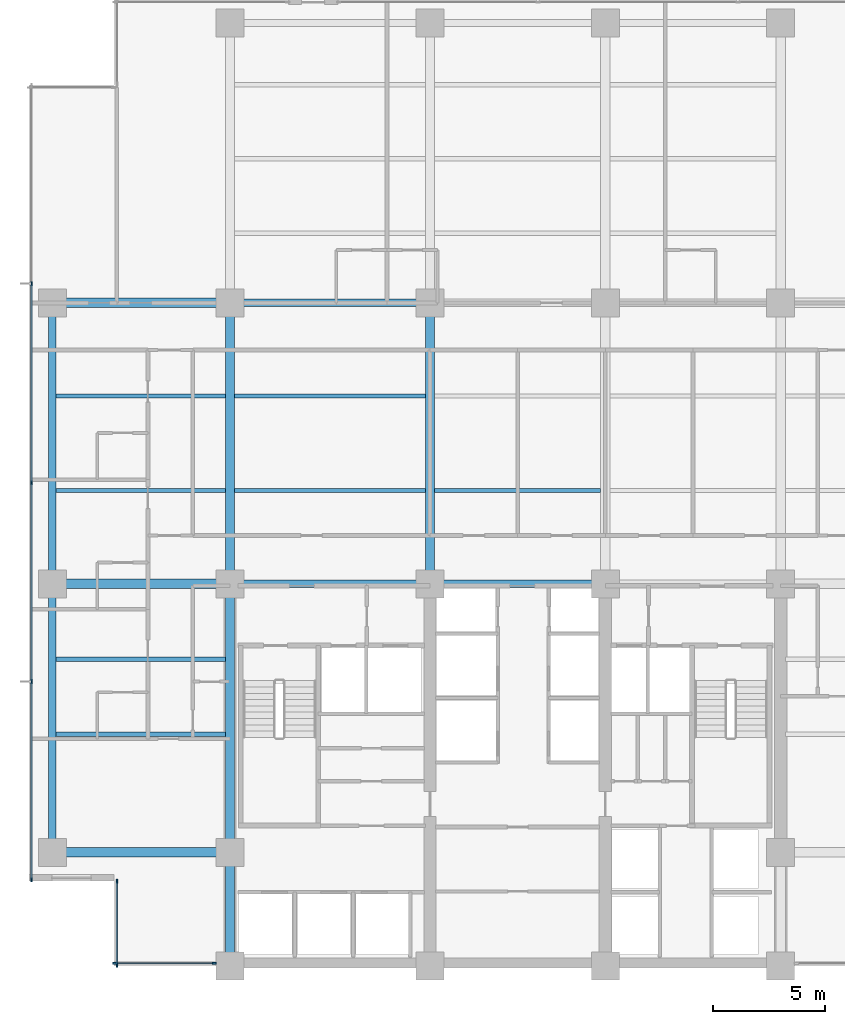
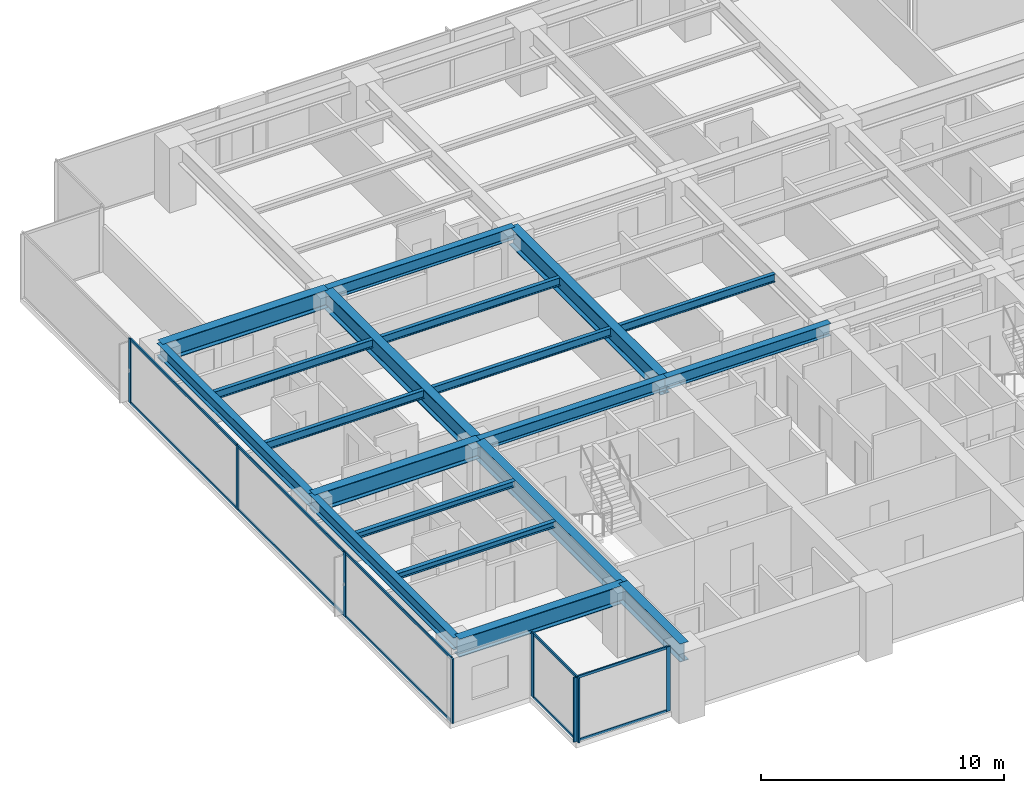
# One storey, part 2 of 17: 19 beams, 18 members, 3 elements without a shape of their own.
"""IFC4 building model written with IfcOpenShell, lengths in metres."""

from ifc_helpers import new_model, si_unit, direction, frame, origin, origin_2d, place, context, subcontext, project, spatial, rectangle, i_section, extrude, material, layer, layer_set, material_profile, profile_set, type_object, element, aggregate, save


model = new_model("IFC4")

# Units and contexts
model_context = context("Model", 3, precision=1e-05, world=origin(), true_north=direction((0.0, 1.0)))
body_context = subcontext(model_context, "Body", "Model", "MODEL_VIEW")
ifc_project = project(units=[si_unit("LENGTHUNIT", "METRE"), si_unit("AREAUNIT", "SQUARE_METRE"), si_unit("VOLUMEUNIT", "CUBIC_METRE"), si_unit("PLANEANGLEUNIT", "RADIAN"), si_unit("MASSUNIT", "GRAM", prefix="KILO")], contexts=[model_context])

# Site, building, storey
site_placement = place(None, origin())
site = spatial("IfcSite", under=ifc_project, at=site_placement, CompositionType="ELEMENT")
building_placement = place(site_placement, origin())
building = spatial("IfcBuilding", under=site, at=building_placement, Name="Qalmaran Belvedere Hotel", CompositionType="ELEMENT")
storey_placement = place(building_placement, frame((0.0, 0.0, 119.699951171875)))
storey = spatial("IfcBuildingStorey", under=building, at=storey_placement, Name="L30", CompositionType="ELEMENT", Elevation=119.699951171875)

# Beams
ifc_material_1 = material(Name="Steel S355JR", Category="steel")
ifc_material_profile_1 = material_profile(ifc_material_1, i_section(OverallWidth=0.202880859375, OverallDepth=0.302978515625, WebThickness=0.007568359375, FlangeThickness=0.01318359375, FilletRadius=0.012939453125, at=origin_2d()), Name="W310X60")
ifc_profile_set_1 = profile_set([ifc_material_profile_1], Name="Steel S355JR")
beam_type_1 = type_object("IfcBeamType", Name="BM-JST-W310X60", PredefinedType="JOIST", material=ifc_profile_set_1)
for number, where, z_axis, x_axis, name in (
    (1, (12.5615234375, 13.800048828125, 3.088623046875), (1.0, 0.0, 0.0), (0.0, 1.0, 0.0), "L30 West Wing Joist 038"),
    (2, (12.5615234375, 17.14990234375, 3.088623046875), (1.0, 0.0, 0.0), (0.0, 1.0, 0.0), "L30 West Wing Joist 040"),
):
    element("IfcBeam", number, at=place(storey_placement, frame(where, z_axis=z_axis, x_axis=x_axis)), inside=storey, type_object=beam_type_1, Name=name, PredefinedType="JOIST", context=body_context, shape_type="SweptSolid", body=[
        extrude(i_section(OverallWidth=0.202880859375, OverallDepth=0.302978515625, WebThickness=0.007568359375, FlangeThickness=0.01318359375, FilletRadius=0.012939453125, at=origin_2d()), origin(), (0.0, 0.0, 1.0), 7.531494140625),
    ])
ifc_material_profile_2 = material_profile(ifc_material_1, i_section(OverallWidth=0.41796875, OverallDepth=0.912109375, WebThickness=0.019287109375, FlangeThickness=0.031982421875, FilletRadius=0.02392578125, at=origin_2d()), Name="W920X342")
ifc_profile_set_2 = profile_set([ifc_material_profile_2], Name="Steel S355JR")
beam_type_2 = type_object("IfcBeamType", Name="BM-PG2-W920X342", PredefinedType="USERDEFINED", material=ifc_profile_set_2)
for number, where, z_axis, x_axis, name in (
    (3, (20.300048828125, 20.5, 2.783935546875), (0.0, 1.0, 0.0), (-1.0, 0.0, 0.0), "L30 Mid-Plate N-S Girder 14"),
    (4, (29.199951171875, 20.5, 2.783935546875), (0.0, 1.0, 0.0), (-1.0, 0.0, 0.0), "L30 Mid-Plate N-S Girder 16"),
):
    element("IfcBeam", number, at=place(storey_placement, frame(where, z_axis=z_axis, x_axis=x_axis)), inside=storey, type_object=beam_type_2, Name=name, ObjectType="GIRDER", PredefinedType="USERDEFINED", context=body_context, shape_type="SweptSolid", body=[
        extrude(i_section(OverallWidth=0.41796875, OverallDepth=0.912109375, WebThickness=0.019287109375, FlangeThickness=0.031982421875, FilletRadius=0.02392578125, at=origin_2d()), origin(), (0.0, 0.0, 1.0), 12.5),
    ])
for number, where, z_axis, x_axis, name in (
    (5, (12.39990234375, 8.550048828125, 2.783935546875), (1.0, 0.0, 0.0), (0.0, 1.0, 0.0), "L30 West Wing Girder 22"),
    (6, (12.39990234375, 20.5, 2.783935546875), (1.0, 0.0, 0.0), (0.0, 1.0, 0.0), "L30 West Wing Girder 23"),
    (7, (12.39990234375, 33.0, 2.783935546875), (1.0, 0.0, 0.0), (0.0, 1.0, 0.0), "L30 West Wing Girder 24"),
):
    element("IfcBeam", number, at=place(storey_placement, frame(where, z_axis=z_axis, x_axis=x_axis)), inside=storey, type_object=beam_type_2, Name=name, ObjectType="GIRDER", PredefinedType="USERDEFINED", context=body_context, shape_type="SweptSolid", body=[
        extrude(i_section(OverallWidth=0.41796875, OverallDepth=0.912109375, WebThickness=0.019287109375, FlangeThickness=0.031982421875, FilletRadius=0.02392578125, at=origin_2d()), origin(), (0.0, 0.0, 1.0), 7.900146484375),
    ])
beam_1_placement = place(storey_placement, frame((20.300048828125, 3.5, 2.783935546875), z_axis=(0.0, 1.0, 0.0), x_axis=(-1.0, 0.0, 0.0)))
element("IfcBeam", 8, at=beam_1_placement, inside=storey, type_object=beam_type_2, Name="L30 West Core Edge Girder A", ObjectType="GIRDER", PredefinedType="USERDEFINED", context=body_context, shape_type="SweptSolid", body=[
    extrude(i_section(OverallWidth=0.41796875, OverallDepth=0.912109375, WebThickness=0.019287109375, FlangeThickness=0.031982421875, FilletRadius=0.02392578125, at=origin_2d()), origin(), (0.0, 0.0, 1.0), 5.050048828125),
])
beam_2_placement = place(storey_placement, frame((20.300048828125, 8.550048828125, 2.783935546875), z_axis=(0.0, 1.0, 0.0), x_axis=(-1.0, 0.0, 0.0)))
element("IfcBeam", 9, at=beam_2_placement, inside=storey, type_object=beam_type_2, Name="L30 West Core Edge Girder B", ObjectType="GIRDER", PredefinedType="USERDEFINED", context=body_context, shape_type="SweptSolid", body=[
    extrude(i_section(OverallWidth=0.41796875, OverallDepth=0.912109375, WebThickness=0.019287109375, FlangeThickness=0.031982421875, FilletRadius=0.02392578125, at=origin_2d()), origin(), (0.0, 0.0, 1.0), 11.949951171875),
])
ifc_material_profile_3 = material_profile(ifc_material_1, i_section(OverallWidth=0.177978515625, OverallDepth=0.406982421875, WebThickness=0.0078125, FlangeThickness=0.0126953125, FilletRadius=0.014892578125, at=origin_2d()), Name="W410X60")
ifc_profile_set_3 = profile_set([ifc_material_profile_3], Name="Steel S355JR")
beam_type_3 = type_object("IfcBeamType", Name="BM-SB2-W410X60", PredefinedType="BEAM", material=ifc_profile_set_3)
beam_3_placement = place(storey_placement, frame((12.5615234375, 24.64990234375, 3.03662109375), z_axis=(1.0, 0.0, 0.0), x_axis=(0.0, 1.0, 0.0)))
element("IfcBeam", 10, at=beam_3_placement, inside=storey, type_object=beam_type_3, Name="L30 West Secondary Beam 028", PredefinedType="BEAM", context=body_context, shape_type="SweptSolid", body=[
    extrude(i_section(OverallWidth=0.177978515625, OverallDepth=0.406982421875, WebThickness=0.0078125, FlangeThickness=0.0126953125, FilletRadius=0.014892578125, at=origin_2d()), origin(), (0.0, 0.0, 1.0), 7.531494140625),
])
beam_4_placement = place(storey_placement, frame((20.507080078125, 24.64990234375, 3.03662109375), z_axis=(1.0, 0.0, 0.0), x_axis=(0.0, 1.0, 0.0)))
element("IfcBeam", 11, at=beam_4_placement, inside=storey, type_object=beam_type_3, Name="L30 Secondary Floor Beam 029", PredefinedType="BEAM", context=body_context, shape_type="SweptSolid", body=[
    extrude(i_section(OverallWidth=0.177978515625, OverallDepth=0.406982421875, WebThickness=0.0078125, FlangeThickness=0.0126953125, FilletRadius=0.014892578125, at=origin_2d()), origin(), (0.0, 0.0, 1.0), 8.48583984375),
])
beam_5_placement = place(storey_placement, frame((29.406982421875, 24.64990234375, 3.03662109375), z_axis=(1.0, 0.0, 0.0), x_axis=(0.0, 1.0, 0.0)))
element("IfcBeam", 12, at=beam_5_placement, inside=storey, type_object=beam_type_3, Name="L30 Secondary Floor Beam 030", PredefinedType="BEAM", context=body_context, shape_type="SweptSolid", body=[
    extrude(i_section(OverallWidth=0.177978515625, OverallDepth=0.406982421875, WebThickness=0.0078125, FlangeThickness=0.0126953125, FilletRadius=0.014892578125, at=origin_2d()), origin(), (0.0, 0.0, 1.0), 7.385986328125),
])
beam_6_placement = place(storey_placement, frame((12.5615234375, 28.85009765625, 3.03662109375), z_axis=(1.0, 0.0, 0.0), x_axis=(0.0, 1.0, 0.0)))
element("IfcBeam", 13, at=beam_6_placement, inside=storey, type_object=beam_type_3, Name="L30 West Secondary Beam 033", PredefinedType="BEAM", context=body_context, shape_type="SweptSolid", body=[
    extrude(i_section(OverallWidth=0.177978515625, OverallDepth=0.406982421875, WebThickness=0.0078125, FlangeThickness=0.0126953125, FilletRadius=0.014892578125, at=origin_2d()), origin(), (0.0, 0.0, 1.0), 7.531494140625),
])
beam_7_placement = place(storey_placement, frame((20.507080078125, 28.85009765625, 3.03662109375), z_axis=(1.0, 0.0, 0.0), x_axis=(0.0, 1.0, 0.0)))
element("IfcBeam", 14, at=beam_7_placement, inside=storey, type_object=beam_type_3, Name="L30 Secondary Floor Beam 034", PredefinedType="BEAM", context=body_context, shape_type="SweptSolid", body=[
    extrude(i_section(OverallWidth=0.177978515625, OverallDepth=0.406982421875, WebThickness=0.0078125, FlangeThickness=0.0126953125, FilletRadius=0.014892578125, at=origin_2d()), origin(), (0.0, 0.0, 1.0), 8.48583984375),
])
ifc_material_profile_4 = material_profile(ifc_material_1, i_section(OverallWidth=0.326904296875, OverallDepth=0.6220703125, WebThickness=0.015380859375, FlangeThickness=0.0244140625, FilletRadius=0.02001953125, at=origin_2d()), Name="W610X195")
ifc_profile_set_4 = profile_set([ifc_material_profile_4], Name="Steel S355JR")
beam_type_4 = type_object("IfcBeamType", Name="BM-SP1-W610X195", PredefinedType="SPANDREL", material=ifc_profile_set_4)
beam_8_placement = place(storey_placement, frame((12.39990234375, 8.550048828125, 2.928955078125), z_axis=(0.0, 1.0, 0.0), x_axis=(-1.0, 0.0, 0.0)))
element("IfcBeam", 15, at=beam_8_placement, inside=storey, type_object=beam_type_4, Name="L30 Perimeter Spandrel 01", PredefinedType="SPANDREL", context=body_context, shape_type="SweptSolid", body=[
    extrude(i_section(OverallWidth=0.326904296875, OverallDepth=0.6220703125, WebThickness=0.015380859375, FlangeThickness=0.0244140625, FilletRadius=0.02001953125, at=origin_2d()), origin(), (0.0, 0.0, 1.0), 11.949951171875),
])
beam_9_placement = place(storey_placement, frame((12.39990234375, 20.5, 2.928955078125), z_axis=(0.0, 1.0, 0.0), x_axis=(-1.0, 0.0, 0.0)))
element("IfcBeam", 16, at=beam_9_placement, inside=storey, type_object=beam_type_4, Name="L30 Perimeter Spandrel 02", PredefinedType="SPANDREL", context=body_context, shape_type="SweptSolid", body=[
    extrude(i_section(OverallWidth=0.326904296875, OverallDepth=0.6220703125, WebThickness=0.015380859375, FlangeThickness=0.0244140625, FilletRadius=0.02001953125, at=origin_2d()), origin(), (0.0, 0.0, 1.0), 12.5),
])
ifc_material_profile_5 = material_profile(ifc_material_1, i_section(OverallWidth=0.323974609375, OverallDepth=0.611083984375, WebThickness=0.0126953125, FlangeThickness=0.01904296875, FilletRadius=0.02001953125, at=origin_2d()), Name="W610X155")
ifc_profile_set_5 = profile_set([ifc_material_profile_5], Name="Steel S355JR")
beam_type_5 = type_object("IfcBeamType", Name="BM-Z2-W610X155", PredefinedType="USERDEFINED", material=ifc_profile_set_5)
beam_10_placement = place(storey_placement, frame((20.300048828125, 20.5, 2.9345703125), z_axis=(1.0, 0.0, 0.0), x_axis=(0.0, 1.0, 0.0)))
element("IfcBeam", 17, at=beam_10_placement, inside=storey, type_object=beam_type_5, Name="L30 Interior E-W Girder 08", ObjectType="GIRDER", PredefinedType="USERDEFINED", context=body_context, shape_type="SweptSolid", body=[
    extrude(i_section(OverallWidth=0.323974609375, OverallDepth=0.611083984375, WebThickness=0.0126953125, FlangeThickness=0.01904296875, FilletRadius=0.02001953125, at=origin_2d()), origin(), (0.0, 0.0, 1.0), 8.89990234375),
])
beam_11_placement = place(storey_placement, frame((29.199951171875, 20.5, 2.9345703125), z_axis=(1.0, 0.0, 0.0), x_axis=(0.0, 1.0, 0.0)))
element("IfcBeam", 18, at=beam_11_placement, inside=storey, type_object=beam_type_5, Name="L30 Interior E-W Girder 09", ObjectType="GIRDER", PredefinedType="USERDEFINED", context=body_context, shape_type="SweptSolid", body=[
    extrude(i_section(OverallWidth=0.323974609375, OverallDepth=0.611083984375, WebThickness=0.0126953125, FlangeThickness=0.01904296875, FilletRadius=0.02001953125, at=origin_2d()), origin(), (0.0, 0.0, 1.0), 7.800048828125),
])
beam_12_placement = place(storey_placement, frame((20.300048828125, 33.0, 2.9345703125), z_axis=(1.0, 0.0, 0.0), x_axis=(0.0, 1.0, 0.0)))
element("IfcBeam", 19, at=beam_12_placement, inside=storey, type_object=beam_type_5, Name="L30 Interior E-W Girder 11", ObjectType="GIRDER", PredefinedType="USERDEFINED", context=body_context, shape_type="SweptSolid", body=[
    extrude(i_section(OverallWidth=0.323974609375, OverallDepth=0.611083984375, WebThickness=0.0126953125, FlangeThickness=0.01904296875, FilletRadius=0.02001953125, at=origin_2d()), origin(), (0.0, 0.0, 1.0), 8.89990234375),
])

# Curtain wall, members
ifc_material_2 = material(Name="Anodised Bronze Aluminium", Category="aluminium")
ifc_layer = layer(ifc_material_2, 0.199951171875, Name="Anodised Bronze Aluminium")
ifc_layer_set = layer_set([ifc_layer], Name="Anodised Bronze Aluminium")
curtain_wall_type = type_object("IfcCurtainWallType", Name="CW3-TOWER-LOWMID", PredefinedType="NOTDEFINED", material=ifc_layer_set)
curtain_wall_1_placement = place(storey_placement, origin())
curtain_wall_1 = element("IfcCurtainWall", 20, at=curtain_wall_1_placement, inside=storey, type_object=curtain_wall_type, Name="L30 Curtain Wall CW3", PredefinedType="NOTDEFINED")
ifc_material_profile_6 = material_profile(ifc_material_2, rectangle(XDim=0.070068359375, YDim=0.18994140625, at=origin_2d()), Name="CWM70X190")
ifc_profile_set_6 = profile_set([ifc_material_profile_6], Name="Anodised Bronze Aluminium")
member_type_1 = type_object("IfcMemberType", Name="CWM-70X190", PredefinedType="MULLION", material=ifc_profile_set_6)
member_1_placement = place(storey_placement, frame((15.18505859375, 3.6201171875, 0.0), z_axis=(0.0, 0.0, 1.0), x_axis=(0.0, 1.0, 0.0)))
member_1 = element("IfcMember", 21, at=member_1_placement, type_object=member_type_1, Name="CW3 mullion 1", PredefinedType="MULLION", context=body_context, shape_type="SweptSolid", body=[
    extrude(rectangle(XDim=0.070068359375, YDim=0.18994140625, at=origin_2d()), origin(), (0.0, 0.0, 1.0), 3.239990234375),
])
member_2_placement = place(storey_placement, frame((19.60009765625, 3.6201171875, 0.0), z_axis=(0.0, 0.0, 1.0), x_axis=(0.0, 1.0, 0.0)))
member_2 = element("IfcMember", 22, at=member_2_placement, type_object=member_type_1, Name="CW3 mullion 2", PredefinedType="MULLION", context=body_context, shape_type="SweptSolid", body=[
    extrude(rectangle(XDim=0.070068359375, YDim=0.18994140625, at=origin_2d()), origin(), (0.0, 0.0, 1.0), 3.239990234375),
])

curtain_wall_2_placement = place(storey_placement, origin())
curtain_wall_2 = element("IfcCurtainWall", 23, at=curtain_wall_2_placement, inside=storey, type_object=curtain_wall_type, Name="L30 Curtain Wall CW3", PredefinedType="NOTDEFINED")
member_3_placement = place(storey_placement, frame((11.469970703125, 33.85009765625, 0.0), z_axis=(0.0, 0.0, 1.0), x_axis=(1.0, 0.0, 0.0)))
member_3 = element("IfcMember", 24, at=member_3_placement, type_object=member_type_1, Name="CW3 mullion 2", PredefinedType="MULLION", context=body_context, shape_type="SweptSolid", body=[
    extrude(rectangle(XDim=0.070068359375, YDim=0.18994140625, at=origin_2d()), origin(), (0.0, 0.0, 1.0), 3.239990234375),
])
member_4_placement = place(storey_placement, frame((11.469970703125, 25.0, 0.0), z_axis=(0.0, 0.0, 1.0), x_axis=(1.0, 0.0, 0.0)))
member_4 = element("IfcMember", 25, at=member_4_placement, type_object=member_type_1, Name="CW3 mullion 3", PredefinedType="MULLION", context=body_context, shape_type="SweptSolid", body=[
    extrude(rectangle(XDim=0.070068359375, YDim=0.18994140625, at=origin_2d()), origin(), (0.0, 0.0, 1.0), 3.239990234375),
])
member_5_placement = place(storey_placement, frame((11.469970703125, 16.14990234375, 0.0), z_axis=(0.0, 0.0, 1.0), x_axis=(1.0, 0.0, 0.0)))
member_5 = element("IfcMember", 26, at=member_5_placement, type_object=member_type_1, Name="CW3 mullion 4", PredefinedType="MULLION", context=body_context, shape_type="SweptSolid", body=[
    extrude(rectangle(XDim=0.070068359375, YDim=0.18994140625, at=origin_2d()), origin(), (0.0, 0.0, 1.0), 3.239990234375),
])
member_6_placement = place(storey_placement, frame((11.469970703125, 7.3349609375, 0.0), z_axis=(0.0, 0.0, 1.0), x_axis=(1.0, 0.0, 0.0)))
member_6 = element("IfcMember", 27, at=member_6_placement, type_object=member_type_1, Name="CW3 mullion 5", PredefinedType="MULLION", context=body_context, shape_type="SweptSolid", body=[
    extrude(rectangle(XDim=0.070068359375, YDim=0.18994140625, at=origin_2d()), origin(), (0.0, 0.0, 1.0), 3.239990234375),
])

curtain_wall_3_placement = place(storey_placement, origin())
curtain_wall_3 = element("IfcCurtainWall", 28, at=curtain_wall_3_placement, inside=storey, type_object=curtain_wall_type, Name="L30 Curtain Wall CW3", PredefinedType="NOTDEFINED")
member_7_placement = place(storey_placement, frame((15.27001953125, 7.264892578125, 0.0), z_axis=(0.0, 0.0, 1.0), x_axis=(1.0, 0.0, 0.0)))
member_7 = element("IfcMember", 29, at=member_7_placement, type_object=member_type_1, Name="CW3 mullion 1", PredefinedType="MULLION", context=body_context, shape_type="SweptSolid", body=[
    extrude(rectangle(XDim=0.070068359375, YDim=0.18994140625, at=origin_2d()), origin(), (0.0, 0.0, 1.0), 3.239990234375),
])
member_8_placement = place(storey_placement, frame((15.27001953125, 3.534912109375, 0.0), z_axis=(0.0, 0.0, 1.0), x_axis=(1.0, 0.0, 0.0)))
member_8 = element("IfcMember", 30, at=member_8_placement, type_object=member_type_1, Name="CW3 mullion 2", PredefinedType="MULLION", context=body_context, shape_type="SweptSolid", body=[
    extrude(rectangle(XDim=0.070068359375, YDim=0.18994140625, at=origin_2d()), origin(), (0.0, 0.0, 1.0), 3.239990234375),
])

# Member
ifc_material_profile_7 = material_profile(ifc_material_2, rectangle(XDim=0.06494140625, YDim=0.1298828125, at=origin_2d()), Name="CWT65X130")
ifc_profile_set_7 = profile_set([ifc_material_profile_7], Name="Anodised Bronze Aluminium")
member_type_2 = type_object("IfcMemberType", Name="CWT-65X130", PredefinedType="USERDEFINED", material=ifc_profile_set_7)
member_9_placement = place(storey_placement, frame((15.219970703125, 3.6201171875, 0.032470703125), z_axis=(1.0, 0.0, 0.0), x_axis=(0.0, 1.0, 0.0)))
member_9 = element("IfcMember", 31, at=member_9_placement, type_object=member_type_2, Name="CW3 transom 1.1", ObjectType="TRANSOM", PredefinedType="USERDEFINED", context=body_context, shape_type="SweptSolid", body=[
    extrude(rectangle(XDim=0.06494140625, YDim=0.1298828125, at=origin_2d()), origin(), (0.0, 0.0, 1.0), 4.344970703125),
])

member_10_placement = place(storey_placement, frame((15.219970703125, 3.6201171875, 3.20751953125), z_axis=(1.0, 0.0, 0.0), x_axis=(0.0, 1.0, 0.0)))
member_10 = element("IfcMember", 32, at=member_10_placement, type_object=member_type_2, Name="CW3 transom 1.2", ObjectType="TRANSOM", PredefinedType="USERDEFINED", context=body_context, shape_type="SweptSolid", body=[
    extrude(rectangle(XDim=0.06494140625, YDim=0.1298828125, at=origin_2d()), origin(), (0.0, 0.0, 1.0), 4.344970703125),
])

aggregate(curtain_wall_1, [member_1, member_2, member_9, member_10])

member_11_placement = place(storey_placement, frame((11.469970703125, 33.81494140625, 0.032470703125), z_axis=(0.0, -1.0, 0.0), x_axis=(1.0, 0.0, 0.0)))
member_11 = element("IfcMember", 33, at=member_11_placement, type_object=member_type_2, Name="CW3 transom 2.1", ObjectType="TRANSOM", PredefinedType="USERDEFINED", context=body_context, shape_type="SweptSolid", body=[
    extrude(rectangle(XDim=0.06494140625, YDim=0.1298828125, at=origin_2d()), origin(), (0.0, 0.0, 1.0), 8.780029296875),
])

member_12_placement = place(storey_placement, frame((11.469970703125, 33.81494140625, 3.20751953125), z_axis=(0.0, -1.0, 0.0), x_axis=(1.0, 0.0, 0.0)))
member_12 = element("IfcMember", 34, at=member_12_placement, type_object=member_type_2, Name="CW3 transom 2.2", ObjectType="TRANSOM", PredefinedType="USERDEFINED", context=body_context, shape_type="SweptSolid", body=[
    extrude(rectangle(XDim=0.06494140625, YDim=0.1298828125, at=origin_2d()), origin(), (0.0, 0.0, 1.0), 8.780029296875),
])

member_13_placement = place(storey_placement, frame((11.469970703125, 24.965087890625, 0.032470703125), z_axis=(0.0, -1.0, 0.0), x_axis=(1.0, 0.0, 0.0)))
member_13 = element("IfcMember", 35, at=member_13_placement, type_object=member_type_2, Name="CW3 transom 3.1", ObjectType="TRANSOM", PredefinedType="USERDEFINED", context=body_context, shape_type="SweptSolid", body=[
    extrude(rectangle(XDim=0.06494140625, YDim=0.1298828125, at=origin_2d()), origin(), (0.0, 0.0, 1.0), 8.780029296875),
])

member_14_placement = place(storey_placement, frame((11.469970703125, 24.965087890625, 3.20751953125), z_axis=(0.0, -1.0, 0.0), x_axis=(1.0, 0.0, 0.0)))
member_14 = element("IfcMember", 36, at=member_14_placement, type_object=member_type_2, Name="CW3 transom 3.2", ObjectType="TRANSOM", PredefinedType="USERDEFINED", context=body_context, shape_type="SweptSolid", body=[
    extrude(rectangle(XDim=0.06494140625, YDim=0.1298828125, at=origin_2d()), origin(), (0.0, 0.0, 1.0), 8.780029296875),
])

member_15_placement = place(storey_placement, frame((11.469970703125, 16.114990234375, 0.032470703125), z_axis=(0.0, -1.0, 0.0), x_axis=(1.0, 0.0, 0.0)))
member_15 = element("IfcMember", 37, at=member_15_placement, type_object=member_type_2, Name="CW3 transom 4.1", ObjectType="TRANSOM", PredefinedType="USERDEFINED", context=body_context, shape_type="SweptSolid", body=[
    extrude(rectangle(XDim=0.06494140625, YDim=0.1298828125, at=origin_2d()), origin(), (0.0, 0.0, 1.0), 8.744873046875),
])

member_16_placement = place(storey_placement, frame((11.469970703125, 16.114990234375, 3.20751953125), z_axis=(0.0, -1.0, 0.0), x_axis=(1.0, 0.0, 0.0)))
member_16 = element("IfcMember", 38, at=member_16_placement, type_object=member_type_2, Name="CW3 transom 4.2", ObjectType="TRANSOM", PredefinedType="USERDEFINED", context=body_context, shape_type="SweptSolid", body=[
    extrude(rectangle(XDim=0.06494140625, YDim=0.1298828125, at=origin_2d()), origin(), (0.0, 0.0, 1.0), 8.744873046875),
])

aggregate(curtain_wall_2, [member_3, member_4, member_5, member_6, member_11, member_12, member_13, member_14, member_15, member_16])

member_17_placement = place(storey_placement, frame((15.27001953125, 7.22998046875, 0.032470703125), z_axis=(0.0, -1.0, 0.0), x_axis=(1.0, 0.0, 0.0)))
member_17 = element("IfcMember", 39, at=member_17_placement, type_object=member_type_2, Name="CW3 transom 1.1", ObjectType="TRANSOM", PredefinedType="USERDEFINED", context=body_context, shape_type="SweptSolid", body=[
    extrude(rectangle(XDim=0.06494140625, YDim=0.1298828125, at=origin_2d()), origin(), (0.0, 0.0, 1.0), 3.659912109375),
])

member_18_placement = place(storey_placement, frame((15.27001953125, 7.22998046875, 3.20751953125), z_axis=(0.0, -1.0, 0.0), x_axis=(1.0, 0.0, 0.0)))
member_18 = element("IfcMember", 40, at=member_18_placement, type_object=member_type_2, Name="CW3 transom 1.2", ObjectType="TRANSOM", PredefinedType="USERDEFINED", context=body_context, shape_type="SweptSolid", body=[
    extrude(rectangle(XDim=0.06494140625, YDim=0.1298828125, at=origin_2d()), origin(), (0.0, 0.0, 1.0), 3.659912109375),
])

aggregate(curtain_wall_3, [member_7, member_8, member_17, member_18])

save(model, "model.ifc")
